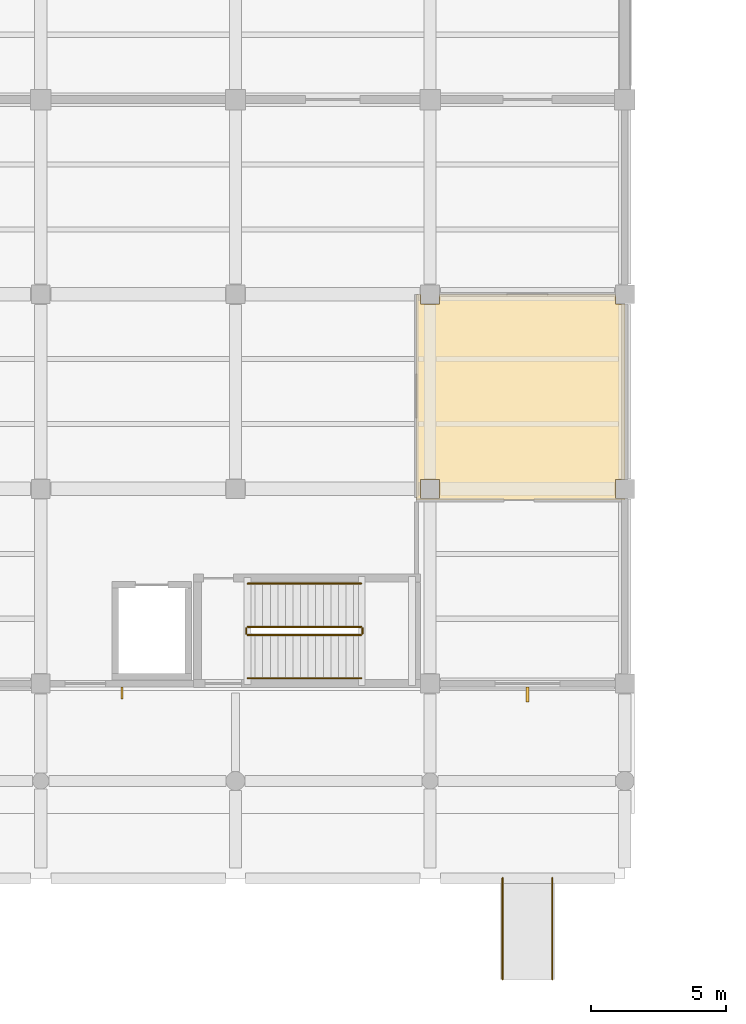
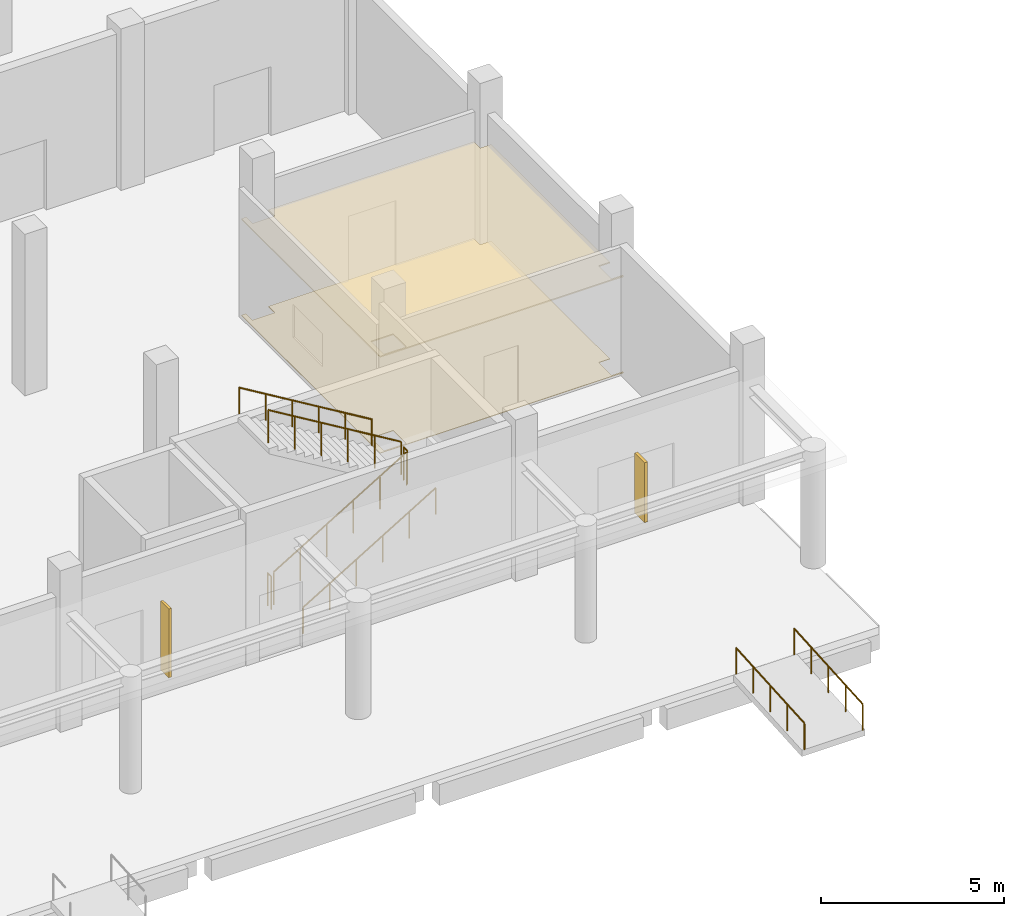
# One storey, part 37 of 46: 8 railings, 2 coverings, 2 shading devices.
"""IFC4 building model written with IfcOpenShell, lengths in metres."""

from ifc_helpers import new_model, si_unit, direction, frame, origin, origin_2d, place, context, subcontext, project, spatial, polyline, rectangle, circle, outline, extrude, material, layer, layer_set, type_object, element, save


model = new_model("IFC4")

# Units and contexts
model_context = context("Model", 3, precision=1e-05, world=origin(), true_north=direction((0.0, 1.0)))
body_context = subcontext(model_context, "Body", "Model", "MODEL_VIEW")
ifc_project = project(units=[si_unit("LENGTHUNIT", "METRE"), si_unit("AREAUNIT", "SQUARE_METRE"), si_unit("VOLUMEUNIT", "CUBIC_METRE"), si_unit("PLANEANGLEUNIT", "RADIAN"), si_unit("MASSUNIT", "GRAM", prefix="KILO"), si_unit("THERMODYNAMICTEMPERATUREUNIT", "KELVIN"), si_unit("POWERUNIT", "WATT")], contexts=[model_context])

# Site, building, storey
site_placement = place(None, origin())
site = spatial("IfcSite", under=ifc_project, at=site_placement, CompositionType="ELEMENT")
building_placement = place(site_placement, origin())
building = spatial("IfcBuilding", under=site, at=building_placement, Name="Kaldorven Railside Theatre", CompositionType="ELEMENT")
storey_placement = place(building_placement, origin())
storey = spatial("IfcBuildingStorey", under=building, at=storey_placement, Name="L00", CompositionType="ELEMENT", Elevation=0.0)

# Coverings
ifc_material_1 = material(Name="Acoustic gypsum board")
ifc_layer_1 = layer(ifc_material_1, 0.0400390625, Name="Acoustic gypsum board")
ifc_layer_set_1 = layer_set([ifc_layer_1], Name="Acoustic gypsum board")
covering_type_1 = type_object("IfcCoveringType", Name="COV-CLG-01", PredefinedType="CEILING", material=ifc_layer_set_1)
covering_1_placement = place(storey_placement, frame((0.0, 0.0, 3.2099609375)))
element("IfcCovering", 1, at=covering_1_placement, inside=storey, type_object=covering_type_1, Name="Theatre Cafe Acoustic Ceiling 007", PredefinedType="CEILING", context=body_context, shape_type="SweptSolid", body=[
    extrude(outline(polyline([(123.199951171875, 26.0), (115.5, 26.0), (115.5, 33.60009765625), (115.64794921875, 33.60009765625), (115.64794921875, 33.248046875), (116.35205078125, 33.248046875), (116.35205078125, 33.60009765625), (122.847900390625, 33.60009765625), (122.847900390625, 33.248046875), (123.199951171875, 33.248046875), (123.199951171875, 26.751953125), (122.847900390625, 26.751953125), (122.847900390625, 26.048095703125), (123.199951171875, 26.048095703125), (123.199951171875, 26.0)]), holes=[polyline([(116.35205078125, 26.751953125), (115.64794921875, 26.751953125), (115.64794921875, 26.048095703125), (116.35205078125, 26.048095703125), (116.35205078125, 26.751953125)])]), origin(), (0.0, 0.0, 1.0), 0.0400390625),
])
ifc_material_2 = material(Name="Terrazzo stone finish", Category="masonry")
ifc_layer_2 = layer(ifc_material_2, 0.02001953125, Name="Terrazzo stone finish")
ifc_layer_set_2 = layer_set([ifc_layer_2], Name="Terrazzo stone finish")
covering_type_2 = type_object("IfcCoveringType", Name="COV-FLR-02", PredefinedType="FLOORING", material=ifc_layer_set_2)
covering_2_placement = place(storey_placement, origin())
element("IfcCovering", 2, at=covering_2_placement, inside=storey, type_object=covering_type_2, Name="Theatre Cafe Finish Flooring FLR-003", PredefinedType="FLOORING", context=body_context, shape_type="SweptSolid", body=[
    extrude(outline(polyline([(123.199951171875, 26.0), (115.5, 26.0), (115.5, 33.60009765625), (115.64794921875, 33.60009765625), (115.64794921875, 33.248046875), (116.35205078125, 33.248046875), (116.35205078125, 33.60009765625), (122.847900390625, 33.60009765625), (122.847900390625, 33.248046875), (123.199951171875, 33.248046875), (123.199951171875, 26.751953125), (122.847900390625, 26.751953125), (122.847900390625, 26.048095703125), (123.199951171875, 26.048095703125), (123.199951171875, 26.0)]), holes=[polyline([(116.35205078125, 26.751953125), (115.64794921875, 26.751953125), (115.64794921875, 26.048095703125), (116.35205078125, 26.048095703125), (116.35205078125, 26.751953125)])]), origin(), (0.0, 0.0, 1.0), 0.02001953125),
])

# Railings
ifc_material_3 = material(Name="Anodised bronze aluminium", Category="aluminium")
railing_type_1 = type_object("IfcRailingType", Name="RLG-BAL-1100", PredefinedType="BALUSTRADE", material=ifc_material_3)
for number, where, name in (
    (3, (118.679931640625, 8.260009765625, -0.25), "Ramp Handrail RHR-05W"),
    (4, (120.52001953125, 8.260009765625, -0.25), "Ramp Handrail RHR-05E"),
):
    element("IfcRailing", number, at=place(storey_placement, frame(where)), inside=storey, type_object=railing_type_1, Name=name, PredefinedType="HANDRAIL", context=body_context, shape_type="SweptSolid", body=[
        extrude(circle(Radius=0.02392578125, at=origin_2d()), frame((0.0, 0.0, 0.8759765625), z_axis=(0.0, 0.997785157857, 0.066519010524), x_axis=(-1.0, 0.0, 0.0)), (0.0, 0.0, 1.0), 3.75830078125),
        extrude(circle(Radius=0.02099609375, at=origin_2d()), origin(), (0.0, 0.0, 1.0), 0.851806640625),
        extrude(circle(Radius=0.02099609375, at=origin_2d()), frame((0.0, 0.9375, 0.0625)), (0.0, 0.0, 1.0), 0.851806640625),
        extrude(circle(Radius=0.02099609375, at=origin_2d()), frame((0.0, 1.875, 0.125)), (0.0, 0.0, 1.0), 0.851806640625),
        extrude(circle(Radius=0.02099609375, at=origin_2d()), frame((0.0, 2.8125, 0.1875)), (0.0, 0.0, 1.0), 0.851806640625),
        extrude(circle(Radius=0.02099609375, at=origin_2d()), frame((0.0, 3.75, 0.25)), (0.0, 0.0, 1.0), 0.851806640625),
    ])
ifc_material_4 = material(Name="Steel S355", Category="steel")
railing_type_2 = type_object("IfcRailingType", Name="RLG-STG-1100", PredefinedType="BALUSTRADE", material=ifc_material_4)
railing_1_placement = place(storey_placement, frame((109.25, 21.0, 0.168701171875)))
element("IfcRailing", 5, at=railing_1_placement, inside=storey, type_object=railing_type_2, Name="L00 ST-04 stair guard 1", PredefinedType="BALUSTRADE", context=body_context, shape_type="SweptSolid", body=[
    extrude(circle(Radius=0.02392578125, at=origin_2d()), frame((0.0, 0.0, 1.09619140625), z_axis=(0.856476492594, 0.0, 0.516186030065), x_axis=(0.0, 1.0, 0.0)), (0.0, 0.0, 1.0), 4.90380859375),
    extrude(circle(Radius=0.02099609375, at=origin_2d()), origin(), (0.0, 0.0, 1.0), 1.072021484375),
    extrude(circle(Radius=0.02099609375, at=origin_2d()), frame((0.840087890625, 0.0, 0.50634765625)), (0.0, 0.0, 1.0), 1.072021484375),
    extrude(circle(Radius=0.02099609375, at=origin_2d()), frame((1.679931640625, 0.0, 1.012451171875)), (0.0, 0.0, 1.0), 1.072021484375),
    extrude(circle(Radius=0.02099609375, at=origin_2d()), frame((2.52001953125, 0.0, 1.518798828125)), (0.0, 0.0, 1.0), 1.072021484375),
    extrude(circle(Radius=0.02099609375, at=origin_2d()), frame((3.35986328125, 0.0, 2.02490234375)), (0.0, 0.0, 1.0), 1.072021484375),
    extrude(circle(Radius=0.02099609375, at=origin_2d()), frame((4.199951171875, 0.0, 2.53125)), (0.0, 0.0, 1.0), 1.072021484375),
])
railing_2_placement = place(storey_placement, frame((113.5, 21.050048828125, 2.699951171875)))
element("IfcRailing", 6, at=railing_2_placement, inside=storey, type_object=railing_type_2, Name="L00 ST-04 stair guard 2", PredefinedType="BALUSTRADE", context=body_context, shape_type="SweptSolid", body=[
    extrude(circle(Radius=0.02392578125, at=origin_2d()), frame((0.0, 0.0, 1.09619140625), z_axis=(0.0, 1.0, 0.0), x_axis=(-1.0, 0.0, 0.0)), (0.0, 0.0, 1.0), 0.199951171875),
    extrude(circle(Radius=0.02099609375, at=origin_2d()), origin(), (0.0, 0.0, 1.0), 1.072021484375),
    extrude(circle(Radius=0.02099609375, at=origin_2d()), frame((0.0, 0.199951171875, 0.0)), (0.0, 0.0, 1.0), 1.072021484375),
])
railing_3_placement = place(storey_placement, frame((113.449951171875, 21.300048828125, 2.86865234375)))
element("IfcRailing", 7, at=railing_3_placement, inside=storey, type_object=railing_type_2, Name="L00 ST-04 stair guard 3", PredefinedType="BALUSTRADE", context=body_context, shape_type="SweptSolid", body=[
    extrude(circle(Radius=0.02392578125, at=origin_2d()), frame((0.0, 0.0, 1.09619140625), z_axis=(-0.856476492594, 0.0, 0.516186030065), x_axis=(0.0, -1.0, 0.0)), (0.0, 0.0, 1.0), 4.90380859375),
    extrude(circle(Radius=0.02099609375, at=origin_2d()), origin(), (0.0, 0.0, 1.0), 1.072021484375),
    extrude(circle(Radius=0.02099609375, at=origin_2d()), frame((-0.840087890625, 0.0, 0.50634765625)), (0.0, 0.0, 1.0), 1.072021484375),
    extrude(circle(Radius=0.02099609375, at=origin_2d()), frame((-1.679931640625, 0.0, 1.012451171875)), (0.0, 0.0, 1.0), 1.072021484375),
    extrude(circle(Radius=0.02099609375, at=origin_2d()), frame((-2.52001953125, 0.0, 1.518798828125)), (0.0, 0.0, 1.0), 1.072021484375),
    extrude(circle(Radius=0.02099609375, at=origin_2d()), frame((-3.35986328125, 0.0, 2.02490234375)), (0.0, 0.0, 1.0), 1.072021484375),
    extrude(circle(Radius=0.02099609375, at=origin_2d()), frame((-4.199951171875, 0.0, 2.53125)), (0.0, 0.0, 1.0), 1.072021484375),
])
railing_4_placement = place(storey_placement, frame((109.199951171875, 21.050048828125, 0.0)))
element("IfcRailing", 8, at=railing_4_placement, inside=storey, type_object=railing_type_2, Name="L00 ST-04 stair guard 4", PredefinedType="BALUSTRADE", context=body_context, shape_type="SweptSolid", body=[
    extrude(circle(Radius=0.02392578125, at=origin_2d()), frame((0.0, 0.0, 1.09619140625), z_axis=(0.0, 1.0, 0.0), x_axis=(-1.0, 0.0, 0.0)), (0.0, 0.0, 1.0), 0.199951171875),
    extrude(circle(Radius=0.02099609375, at=origin_2d()), origin(), (0.0, 0.0, 1.0), 1.072021484375),
    extrude(circle(Radius=0.02099609375, at=origin_2d()), frame((0.0, 0.199951171875, 0.0)), (0.0, 0.0, 1.0), 1.072021484375),
])
railing_type_3 = type_object("IfcRailingType", Name="RLG-STH-900", PredefinedType="HANDRAIL", material=ifc_material_4)
railing_5_placement = place(storey_placement, frame((109.25, 19.39990234375, 0.168701171875)))
element("IfcRailing", 9, at=railing_5_placement, inside=storey, type_object=railing_type_3, Name="L00 ST-04 stair handrail 1", PredefinedType="HANDRAIL", context=body_context, shape_type="SweptSolid", body=[
    extrude(circle(Radius=0.02392578125, at=origin_2d()), frame((0.0, 0.0, 0.8759765625), z_axis=(0.856476492594, 0.0, 0.516186030065), x_axis=(0.0, 1.0, 0.0)), (0.0, 0.0, 1.0), 4.90380859375),
    extrude(circle(Radius=0.02099609375, at=origin_2d()), origin(), (0.0, 0.0, 1.0), 0.851806640625),
    extrude(circle(Radius=0.02099609375, at=origin_2d()), frame((0.840087890625, 0.0, 0.50634765625)), (0.0, 0.0, 1.0), 0.851806640625),
    extrude(circle(Radius=0.02099609375, at=origin_2d()), frame((1.679931640625, 0.0, 1.012451171875)), (0.0, 0.0, 1.0), 0.851806640625),
    extrude(circle(Radius=0.02099609375, at=origin_2d()), frame((2.52001953125, 0.0, 1.518798828125)), (0.0, 0.0, 1.0), 0.851806640625),
    extrude(circle(Radius=0.02099609375, at=origin_2d()), frame((3.35986328125, 0.0, 2.02490234375)), (0.0, 0.0, 1.0), 0.851806640625),
    extrude(circle(Radius=0.02099609375, at=origin_2d()), frame((4.199951171875, 0.0, 2.53125)), (0.0, 0.0, 1.0), 0.851806640625),
])
railing_6_placement = place(storey_placement, frame((113.449951171875, 22.89990234375, 2.86865234375)))
element("IfcRailing", 10, at=railing_6_placement, inside=storey, type_object=railing_type_3, Name="L00 ST-04 stair handrail 2", PredefinedType="HANDRAIL", context=body_context, shape_type="SweptSolid", body=[
    extrude(circle(Radius=0.02392578125, at=origin_2d()), frame((0.0, 0.0, 0.8759765625), z_axis=(-0.856476492594, 0.0, 0.516186030065), x_axis=(0.0, -1.0, 0.0)), (0.0, 0.0, 1.0), 4.90380859375),
    extrude(circle(Radius=0.02099609375, at=origin_2d()), origin(), (0.0, 0.0, 1.0), 0.851806640625),
    extrude(circle(Radius=0.02099609375, at=origin_2d()), frame((-0.840087890625, 0.0, 0.50634765625)), (0.0, 0.0, 1.0), 0.851806640625),
    extrude(circle(Radius=0.02099609375, at=origin_2d()), frame((-1.679931640625, 0.0, 1.012451171875)), (0.0, 0.0, 1.0), 0.851806640625),
    extrude(circle(Radius=0.02099609375, at=origin_2d()), frame((-2.52001953125, 0.0, 1.518798828125)), (0.0, 0.0, 1.0), 0.851806640625),
    extrude(circle(Radius=0.02099609375, at=origin_2d()), frame((-3.35986328125, 0.0, 2.02490234375)), (0.0, 0.0, 1.0), 0.851806640625),
    extrude(circle(Radius=0.02099609375, at=origin_2d()), frame((-4.199951171875, 0.0, 2.53125)), (0.0, 0.0, 1.0), 0.851806640625),
])

# Shading devices
shading_device_type_1 = type_object("IfcShadingDeviceType", Name="SHD-FIN-01", PredefinedType="USERDEFINED", material=ifc_material_3)
shading_device_1_placement = place(storey_placement, frame((104.60009765625, 18.85400390625, 0.7998046875), z_axis=(0.0, 0.0, 1.0), x_axis=(-1.0, 0.0, 0.0)))
element("IfcShadingDevice", 11, at=shading_device_1_placement, inside=storey, type_object=shading_device_type_1, Name="Anodised-Bronze Brise-Soleil Fin FIN-023", ObjectType="SUNSHADE", PredefinedType="USERDEFINED", context=body_context, shape_type="SweptSolid", body=[
    extrude(rectangle(XDim=0.080078125, YDim=0.449951171875, at=origin_2d()), origin(), (0.0, 0.0, 1.0), 2.300048828125),
])
shading_device_type_2 = type_object("IfcShadingDeviceType", Name="SHD-FIN-02", PredefinedType="USERDEFINED", material=ifc_material_3)
shading_device_2_placement = place(storey_placement, frame((119.60009765625, 18.803955078125, 0.800048828125), z_axis=(0.0, 0.0, 1.0), x_axis=(-1.0, 0.0, 0.0)))
element("IfcShadingDevice", 12, at=shading_device_2_placement, inside=storey, type_object=shading_device_type_2, Name="Anodised-Bronze Brise-Soleil Fin FIN-022", ObjectType="SUNSHADE", PredefinedType="USERDEFINED", context=body_context, shape_type="SweptSolid", body=[
    extrude(rectangle(XDim=0.10009765625, YDim=0.550048828125, at=origin_2d()), origin(), (0.0, 0.0, 1.0), 2.0),
])

save(model, "model.ifc")
